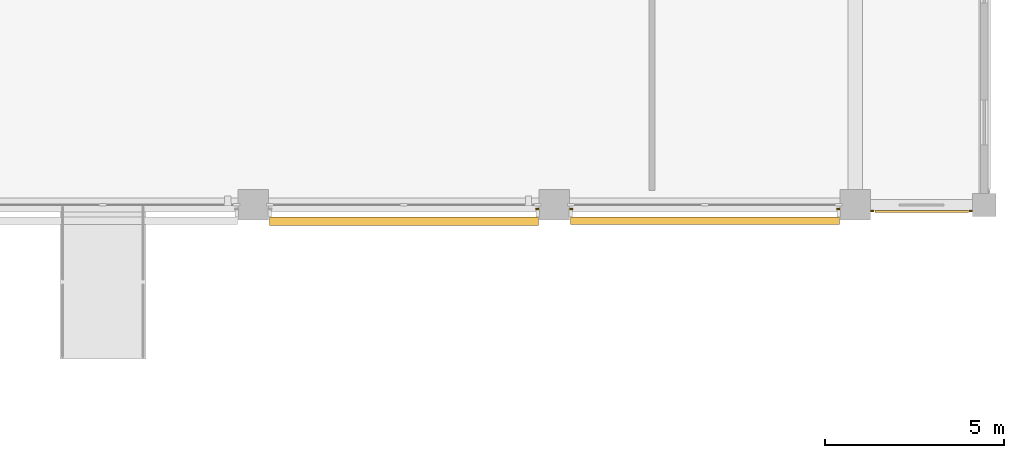
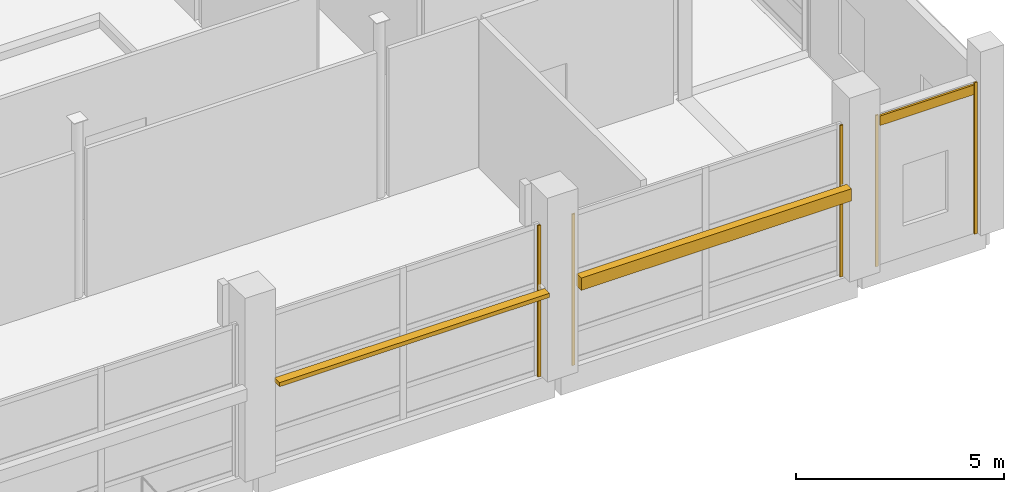
# One storey, part 135 of 140: 6 coverings, 2 shading devices.
"""IFC4 building model written with IfcOpenShell, lengths in metres."""

from ifc_helpers import new_model, si_unit, direction, frame, origin, origin_2d, place, context, subcontext, project, spatial, rectangle, extrude, material, layer, layer_set, type_object, element, save


model = new_model("IFC4")

# Units and contexts
model_context = context("Model", 3, precision=1e-05, world=origin(), true_north=direction((0.0, 1.0)))
body_context = subcontext(model_context, "Body", "Model", "MODEL_VIEW")
ifc_project = project(units=[si_unit("LENGTHUNIT", "METRE"), si_unit("AREAUNIT", "SQUARE_METRE"), si_unit("VOLUMEUNIT", "CUBIC_METRE"), si_unit("PLANEANGLEUNIT", "RADIAN"), si_unit("MASSUNIT", "GRAM", prefix="KILO")], contexts=[model_context])

# Site, building, storey
site_placement = place(None, origin())
site = spatial("IfcSite", under=ifc_project, at=site_placement, CompositionType="ELEMENT")
building_placement = place(site_placement, origin())
building = spatial("IfcBuilding", under=site, at=building_placement, Name="Telukmera Botanical Conservatory", CompositionType="ELEMENT")
storey_placement = place(building_placement, origin())
storey = spatial("IfcBuildingStorey", under=building, at=storey_placement, Name="L00", CompositionType="ELEMENT", Elevation=0.0)

# Coverings
ifc_material_1 = material(Name="Granite-faced precast concrete C40/50", Category="masonry")
ifc_layer_1 = layer(ifc_material_1, 0.0400390625)
ifc_layer_set_1 = layer_set([ifc_layer_1], Name="Granite-faced precast concrete C40/50")
covering_type_1 = type_object("IfcCoveringType", Name="Granite Precast Column Pier Reveal Casing", PredefinedType="CLADDING", material=ifc_layer_set_1)
for number, where, z_axis, x_axis, name in (
    (1, (159.123046875, 17.489990234375, 0.0), (0.0, 0.0, 1.0), (1.0, 0.0, 0.0), "Granite Pier Reveal V1:L00:S5 R"),
    (2, (160.076904296875, 17.489990234375, 0.0), (0.0, 0.0, 1.0), (1.0, 0.0, 0.0), "Granite Pier Reveal V1:L00:S6 L"),
    (3, (167.52294921875, 17.489990234375, 0.0), (0.0, 0.0, 1.0), (1.0, 0.0, 0.0), "Granite Pier Reveal V1:L00:S6 R"),
    (4, (168.47705078125, 17.429931640625, 0.0), (0.0, 0.0, 1.0), (1.0, 0.0, 0.0), "Granite Pier Reveal V1:L00:ES L"),
    (5, (171.222900390625, 17.429931640625, 0.0), (0.0, 0.0, 1.0), (1.0, 0.0, 0.0), "Granite Pier Reveal V1:L00:ES R"),
):
    element("IfcCovering", number, at=place(storey_placement, frame(where, z_axis=z_axis, x_axis=x_axis)), inside=storey, type_object=covering_type_1, Name=name, PredefinedType="CLADDING", context=body_context, shape_type="SweptSolid", body=[
        extrude(rectangle(XDim=0.080078125, YDim=0.0400390625, at=origin_2d()), origin(), (0.0, 0.0, 1.0), 4.449951171875),
    ])

# Shading devices
ifc_material_2 = material(Name="Perforated terracotta-anodised aluminium 6063-T6", Category="masonry")
ifc_layer_2 = layer(ifc_material_2, 0.050048828125)
ifc_layer_set_2 = layer_set([ifc_layer_2], Name="Perforated terracotta-anodised aluminium 6063-T6")
shading_device_type_1 = type_object("IfcShadingDeviceType", Name="Operable Monsoon Solar Louvre Shutter Bank", PredefinedType="SHUTTER", material=ifc_layer_set_2)
shading_device_1_placement = place(storey_placement, frame((163.800048828125, 17.159912109375, 2.4697265625), z_axis=(0.0, 0.0, 1.0), x_axis=(1.0, 0.0, 0.0)))
element("IfcShadingDevice", 6, at=shading_device_1_placement, inside=storey, type_object=shading_device_type_1, Name="Monsoon Shading SH01 V1:L00:S6", PredefinedType="SHUTTER", context=body_context, shape_type="SweptSolid", body=[
    extrude(rectangle(XDim=7.506103515625, YDim=0.219970703125, at=origin_2d()), origin(), (0.0, 0.0, 1.0), 0.360107421875),
])
ifc_layer_3 = layer(ifc_material_2, 0.044921875)
ifc_layer_set_3 = layer_set([ifc_layer_3], Name="Perforated terracotta-anodised aluminium 6063-T6")
shading_device_type_2 = type_object("IfcShadingDeviceType", Name="Perforated Terracotta Aluminium Monsoon Brise Soleil", PredefinedType="JALOUSIE", material=ifc_layer_set_3)
shading_device_2_placement = place(storey_placement, frame((155.39990234375, 17.14990234375, 2.58984375), z_axis=(0.0, 0.0, 1.0), x_axis=(1.0, 0.0, 0.0)))
element("IfcShadingDevice", 7, at=shading_device_2_placement, inside=storey, type_object=shading_device_type_2, Name="Monsoon Shading BS01 V1:L00:S5", PredefinedType="JALOUSIE", context=body_context, shape_type="SweptSolid", body=[
    extrude(rectangle(XDim=7.506103515625, YDim=0.239990234375, at=origin_2d()), origin(), (0.0, 0.0, 1.0), 0.1201171875),
])

# Covering
ifc_material_3 = material(Name="Terracotta-faced precast concrete C40/50", Category="masonry")
ifc_layer_4 = layer(ifc_material_3, 0.06005859375)
ifc_layer_set_4 = layer_set([ifc_layer_4], Name="Terracotta-faced precast concrete C40/50")
covering_type_2 = type_object("IfcCoveringType", Name="Polychrome Terracotta Facade Band Cladding", PredefinedType="CLADDING", material=ifc_layer_set_4)
covering_placement = place(storey_placement, frame((169.85009765625, 17.419921875, 4.1298828125), z_axis=(0.0, 0.0, 1.0), x_axis=(1.0, 0.0, 0.0)))
element("IfcCovering", 8, at=covering_placement, inside=storey, type_object=covering_type_2, Name="Polychrome Terracotta Band V1:L00:ES", PredefinedType="CLADDING", context=body_context, shape_type="SweptSolid", body=[
    extrude(rectangle(XDim=2.60595703125, YDim=0.06005859375, at=origin_2d()), origin(), (0.0, 0.0, 1.0), 0.280029296875),
])

save(model, "model.ifc")
